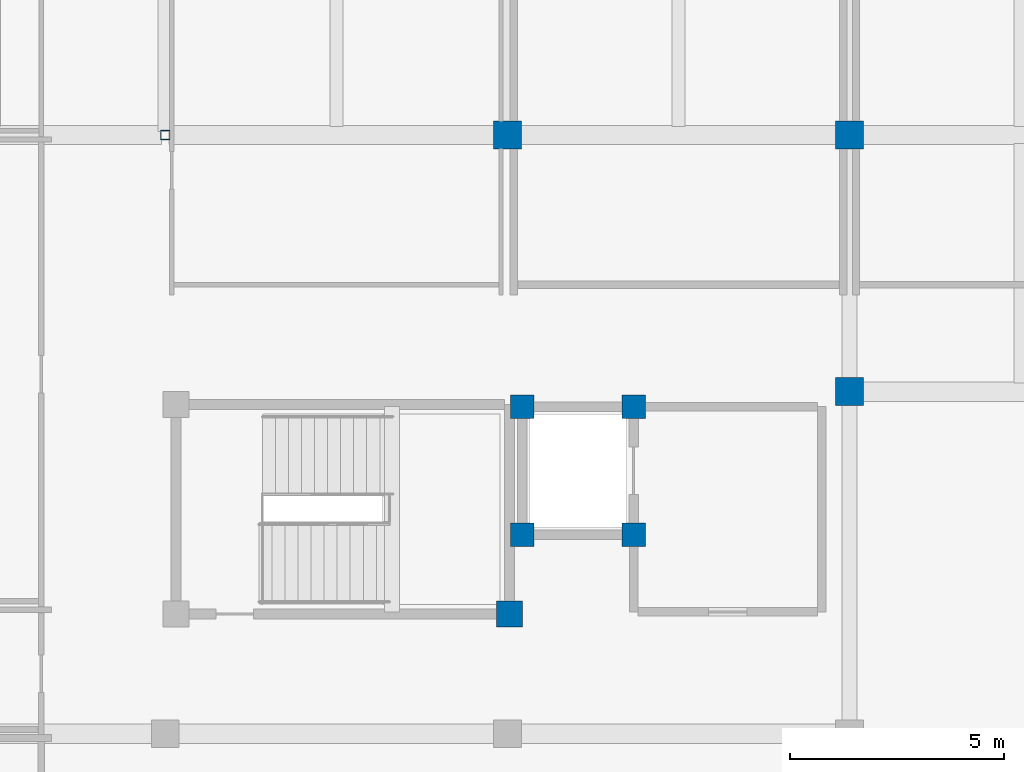
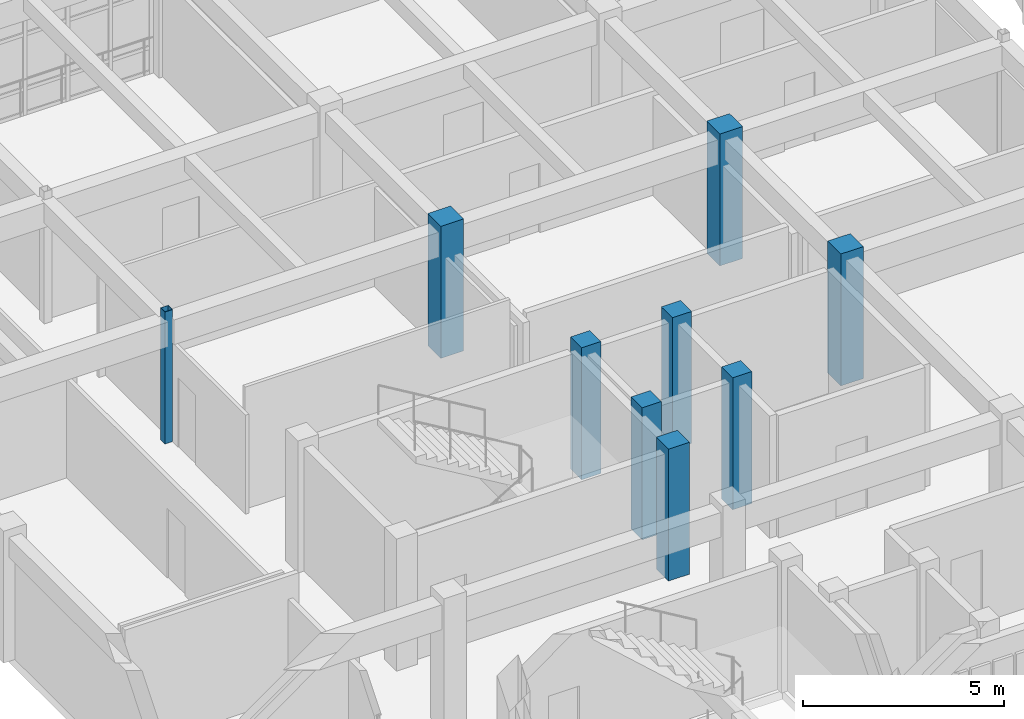
# One storey, part 2 of 112: 9 columns.
"""IFC4 building model written with IfcOpenShell, lengths in metres."""

from ifc_helpers import new_model, si_unit, direction, frame, origin, origin_2d, place, context, subcontext, project, spatial, rectangle, hollow_rectangle, extrude, material, material_profile, profile_set, type_object, element, save


model = new_model("IFC4")

# Units and contexts
model_context = context("Model", 3, precision=1e-05, world=origin(), true_north=direction((0.0, 1.0)))
body_context = subcontext(model_context, "Body", "Model", "MODEL_VIEW")
ifc_project = project(units=[si_unit("LENGTHUNIT", "METRE"), si_unit("AREAUNIT", "SQUARE_METRE"), si_unit("VOLUMEUNIT", "CUBIC_METRE"), si_unit("PLANEANGLEUNIT", "RADIAN"), si_unit("MASSUNIT", "GRAM", prefix="KILO")], contexts=[model_context])

# Site, building, storey
site_placement = place(None, origin())
site = spatial("IfcSite", under=ifc_project, at=site_placement, CompositionType="ELEMENT")
building_placement = place(site_placement, origin())
building = spatial("IfcBuilding", under=site, at=building_placement, Name="Celadon Cloister-Ring School", CompositionType="ELEMENT")
storey_placement = place(building_placement, frame((0.0, 0.0, 8.5)))
storey = spatial("IfcBuildingStorey", under=building, at=storey_placement, Name="L02", CompositionType="ELEMENT", Elevation=8.5)

# Columns
ifc_material_1 = material(Name="Concrete C40/50", Category="concrete")
ifc_material_profile_1 = material_profile(ifc_material_1, rectangle(XDim=0.64990234375, YDim=0.64990234375, at=origin_2d()), Name="RC650X650")
ifc_profile_set_1 = profile_set([ifc_material_profile_1], Name="Concrete C40/50")
column_type_1 = type_object("IfcColumnType", Name="CT-03", PredefinedType="COLUMN", material=ifc_profile_set_1)
for number, where, z_axis, x_axis, name in (
    (1, (16.0, 62.0, 0.0), (0.0, 0.0, 1.0), (1.0, 0.0, 0.0), "Column 1100"),
    (2, (24.0, 56.0, 0.0), (0.0, 0.0, 1.0), (1.0, 0.0, 0.0), "Column 1128"),
    (3, (24.0, 62.0, 0.0), (0.0, 0.0, 1.0), (1.0, 0.0, 0.0), "Column 1134"),
):
    element("IfcColumn", number, at=place(storey_placement, frame(where, z_axis=z_axis, x_axis=x_axis)), inside=storey, type_object=column_type_1, Name=name, PredefinedType="COLUMN", context=body_context, shape_type="SweptSolid", body=[
        extrude(rectangle(XDim=0.64990234375, YDim=0.64990234375, at=origin_2d()), origin(), (0.0, 0.0, 1.0), 4.0),
    ])
ifc_material_2 = material(Name="Concrete C40/50", Category="concrete")
ifc_material_profile_2 = material_profile(ifc_material_2, rectangle(XDim=0.60009765625, YDim=0.60009765625, at=origin_2d()), Name="RC600X600")
ifc_profile_set_2 = profile_set([ifc_material_profile_2], Name="Concrete C40/50")
column_type_2 = type_object("IfcColumnType", Name="CT-04", PredefinedType="COLUMN", material=ifc_profile_set_2)
column_1_placement = place(storey_placement, frame((16.050048828125, 50.800048828125, 0.0), z_axis=(0.0, 0.0, 1.0), x_axis=(1.0, 0.0, 0.0)))
element("IfcColumn", 4, at=column_1_placement, inside=storey, type_object=column_type_2, Name="Column 0149", PredefinedType="COLUMN", context=body_context, shape_type="SweptSolid", body=[
    extrude(rectangle(XDim=0.60009765625, YDim=0.60009765625, at=origin_2d()), origin(), (0.0, 0.0, 1.0), 4.0),
])
ifc_material_3 = material(Name="Concrete C40/50", Category="concrete")
ifc_material_profile_3 = material_profile(ifc_material_3, rectangle(XDim=0.550048828125, YDim=0.550048828125, at=origin_2d()), Name="RC550X550")
ifc_profile_set_3 = profile_set([ifc_material_profile_3], Name="Concrete C40/50")
column_type_3 = type_object("IfcColumnType", Name="CT-05", PredefinedType="COLUMN", material=ifc_profile_set_3)
for number, where, z_axis, x_axis, name in (
    (5, (16.35009765625, 52.64990234375, 0.0), (0.0, 0.0, 1.0), (1.0, 0.0, 0.0), "Column 0238"),
    (6, (18.949951171875, 52.64990234375, 0.0), (0.0, 0.0, 1.0), (1.0, 0.0, 0.0), "Column 0244"),
    (7, (18.949951171875, 55.64990234375, 0.0), (0.0, 0.0, 1.0), (1.0, 0.0, 0.0), "Column 0250"),
    (8, (16.35009765625, 55.64990234375, 0.0), (0.0, 0.0, 1.0), (1.0, 0.0, 0.0), "Column 0256"),
):
    element("IfcColumn", number, at=place(storey_placement, frame(where, z_axis=z_axis, x_axis=x_axis)), inside=storey, type_object=column_type_3, Name=name, PredefinedType="COLUMN", context=body_context, shape_type="SweptSolid", body=[
        extrude(rectangle(XDim=0.550048828125, YDim=0.550048828125, at=origin_2d()), origin(), (0.0, 0.0, 1.0), 4.0),
    ])
ifc_material_4 = material(Name="Structural steel S355JR", Category="steel")
ifc_material_profile_4 = material_profile(ifc_material_4, hollow_rectangle(XDim=0.219970703125, YDim=0.219970703125, WallThickness=0.010009765625, at=origin_2d()), Name="HSS220X220X10")
ifc_profile_set_4 = profile_set([ifc_material_profile_4], Name="Structural steel S355JR")
column_type_4 = type_object("IfcColumnType", Name="CT-09", PredefinedType="COLUMN", material=ifc_profile_set_4)
column_2_placement = place(storey_placement, frame((8.0, 62.0, 0.0), z_axis=(0.0, 0.0, 1.0), x_axis=(1.0, 0.0, 0.0)))
element("IfcColumn", 9, at=column_2_placement, inside=storey, type_object=column_type_4, Name="Column 1185", PredefinedType="COLUMN", context=body_context, shape_type="SweptSolid", body=[
    extrude(hollow_rectangle(XDim=0.219970703125, YDim=0.219970703125, WallThickness=0.010009765625, at=origin_2d()), origin(), (0.0, 0.0, 1.0), 4.0),
])

save(model, "model.ifc")
